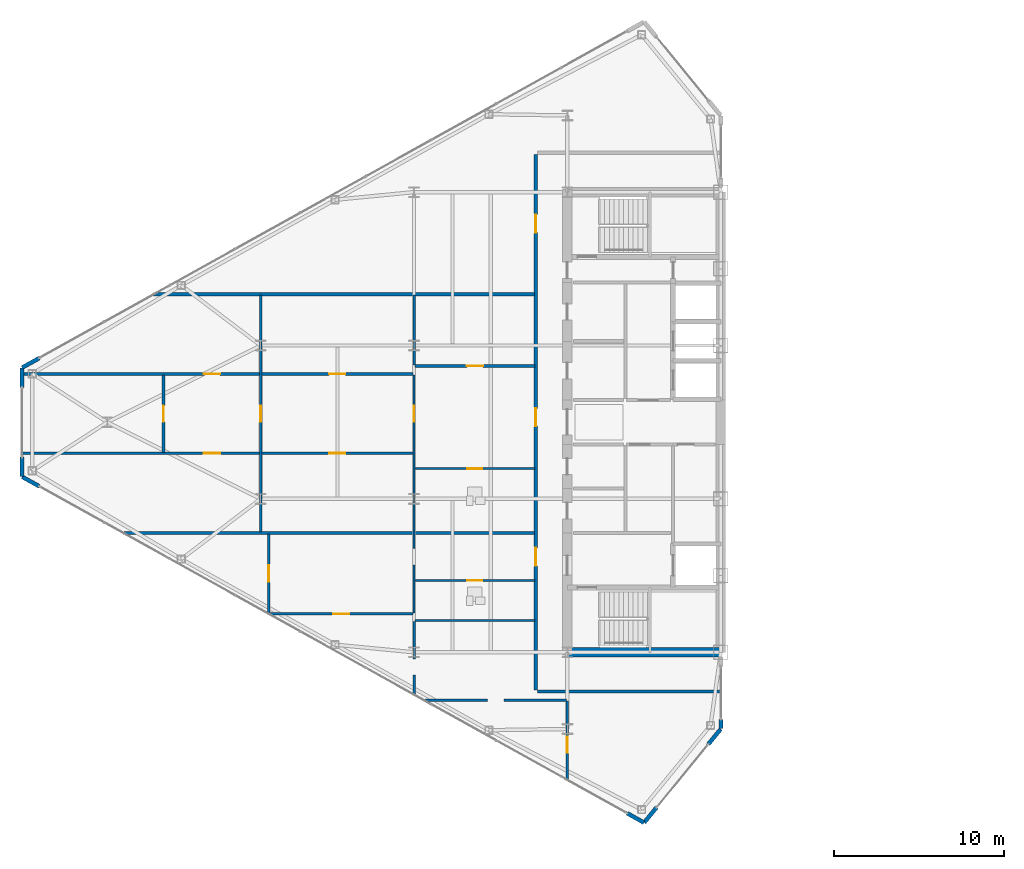
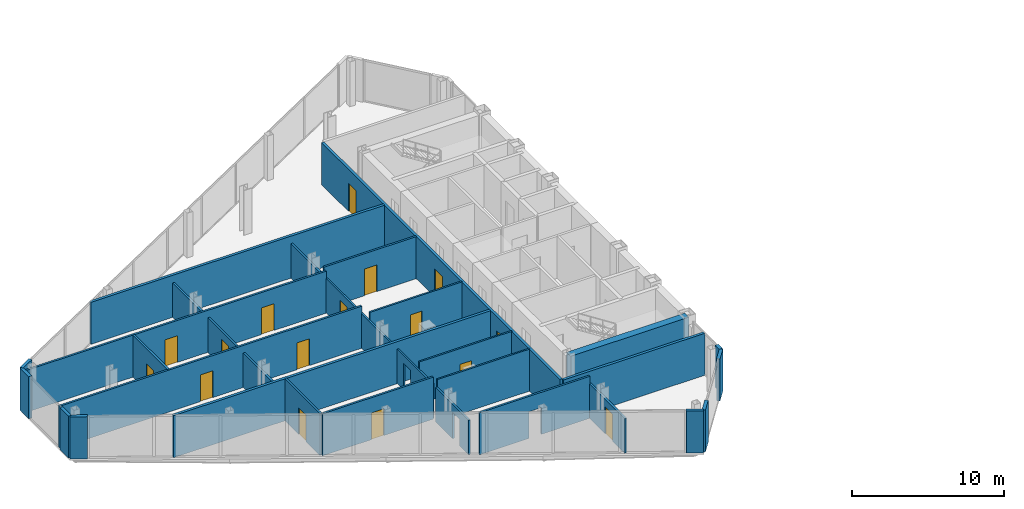
# One storey, part 19 of 26: 28 walls, 16 doors, 19 openings.
"""IFC4 building model written with IfcOpenShell, lengths in metres."""

from ifc_helpers import new_model, si_unit, direction, frame, frame_2d, origin, place, context, subcontext, project, spatial, rectangle, extrude, source, transform, mapped, material, layer, layer_set, type_object, type_shapes, element, fill, save


model = new_model("IFC4")

# Units and contexts
model_context = context("Model", 3, precision=1e-05, world=origin(), true_north=direction((0.0, 1.0)))
body_context = subcontext(model_context, "Body", "Model", "MODEL_VIEW")
ifc_project = project(units=[si_unit("LENGTHUNIT", "METRE"), si_unit("AREAUNIT", "SQUARE_METRE"), si_unit("VOLUMEUNIT", "CUBIC_METRE"), si_unit("PLANEANGLEUNIT", "RADIAN"), si_unit("MASSUNIT", "GRAM", prefix="KILO")], contexts=[model_context])

# Site, building, storey
site_placement = place(None, origin())
site = spatial("IfcSite", under=ifc_project, at=site_placement, CompositionType="ELEMENT")
building_placement = place(site_placement, origin())
building = spatial("IfcBuilding", under=site, at=building_placement, Name="Seokmaru Belvedere", CompositionType="ELEMENT")
storey_placement = place(building_placement, frame((0.0, 0.0, 177.89990234375)))
storey = spatial("IfcBuildingStorey", under=building, at=storey_placement, Name="L47", CompositionType="ELEMENT", Elevation=177.89990234375)

# Wall, opening
ifc_material_1 = material(Name="Fire-Rated Gypsum Shaftwall")
ifc_layer_1 = layer(ifc_material_1, 0.14990234375)
ifc_layer_set_1 = layer_set([ifc_layer_1], Name="Fire-Rated Gypsum Shaftwall")
wall_type_1 = type_object("IfcWallType", Name="Apartment Fire-Acoustic Room Partition 150", PredefinedType="PARTITIONING", material=ifc_layer_set_1)
wall_1_placement = place(storey_placement, frame((-44.943115234375, -16.320068359375, 0.0), z_axis=(0.0, 0.0, 1.0), x_axis=(1.0, 0.0, 0.0)))
wall_1 = element("IfcWall", 1, at=wall_1_placement, inside=storey, type_object=wall_type_1, Name="L47 Interior Partition 001", PredefinedType="PARTITIONING", context=body_context, shape_type="SweptSolid", body=[
    extrude(rectangle(XDim=8.39306640625, YDim=0.14990234375, at=frame_2d((4.196533203125, 0.0))), origin(), (0.0, 0.0, 1.0), 3.380126953125),
])
opening_1_placement = place(wall_1_placement, frame((3.763916015625, 0.0, 0.0)))
element("IfcOpeningElement", 2, at=opening_1_placement, cuts=wall_1, Name="L47 Cased Opening 007", PredefinedType="OPENING", context=body_context, shape_type="SweptSolid", body=[
    extrude(rectangle(XDim=0.949951171875, YDim=2.14990234375, at=frame_2d((0.47509765625, 1.074951171875))), frame((0.0, 0.0849609375, 0.0), z_axis=(0.0, -1.0, 0.0), x_axis=(1.0, 0.0, 0.0)), (0.0, 0.0, 1.0), 0.169921875),
])

# Wall, opening, door
wall_2_placement = place(storey_placement, frame((-53.98291015625, -11.25, 0.0), z_axis=(0.0, 0.0, 1.0), x_axis=(1.0, 0.0, 0.0)))
wall_2 = element("IfcWall", 3, at=wall_2_placement, inside=storey, type_object=wall_type_1, Name="L47 Interior Partition 005", PredefinedType="PARTITIONING", context=body_context, shape_type="SweptSolid", body=[
    extrude(rectangle(XDim=8.432861328125, YDim=0.14990234375, at=frame_2d((4.21630859375, 0.0))), origin(), (0.0, 0.0, 1.0), 3.380126953125),
])
opening_2_placement = place(wall_2_placement, frame((3.741455078125, 0.0, 0.0)))
opening_2 = element("IfcOpeningElement", 4, at=opening_2_placement, cuts=wall_2, Name="Opening D05", PredefinedType="OPENING", context=body_context, shape_type="SweptSolid", body=[
    extrude(rectangle(XDim=0.949951171875, YDim=2.14990234375, at=frame_2d((0.47509765625, 1.074951171875))), frame((0.0, 0.0849609375, 0.0), z_axis=(0.0, -1.0, 0.0), x_axis=(1.0, 0.0, 0.0)), (0.0, 0.0, 1.0), 0.169921875),
])
ifc_material_2 = material(Name="Engineered White Oak Timber", Category="wood")
door_type_1 = type_object("IfcDoorType", Name="Apartment Interior Fire-Rated Oak Door 950x2150", OperationType="NOTDEFINED", PredefinedType="DOOR", material=ifc_material_2)
shared_shape_1 = source(origin(), body_context, "Body", "SweptSolid", [
    extrude(rectangle(XDim=0.949951171875, YDim=2.14990234375, at=frame_2d((0.47509765625, 1.074951171875))), frame((0.0, 0.02490234375, 0.0), z_axis=(0.0, -1.0, 0.0), x_axis=(1.0, 0.0, 0.0)), (0.0, 0.0, 1.0), 0.050048828125),
])
type_shapes(door_type_1, [shared_shape_1])
door_1_placement = place(opening_2_placement, origin())
door_1 = element("IfcDoor", 5, at=door_1_placement, inside=storey, type_object=door_type_1, Name="L47 Interior Door 004", OperationType="SINGLE_SWING_RIGHT", OverallHeight=2.14990234375, OverallWidth=0.949951171875, PredefinedType="DOOR", context=body_context, shape_type="MappedRepresentation", body=[
    mapped(shared_shape_1, transform((0.0, 0.0, 0.0), scale=1.0)),
])
fill(opening_2, door_1)

# Wall, openings, doors
wall_3_placement = place(storey_placement, frame((-68.534912109375, -1.830078125, 0.0), z_axis=(0.0, 0.0, 1.0), x_axis=(1.0, 0.0, 0.0)))
wall_3 = element("IfcWall", 6, at=wall_3_placement, inside=storey, type_object=wall_type_1, Name="L47 Interior Partition 009", PredefinedType="PARTITIONING", context=body_context, shape_type="SweptSolid", body=[
    extrude(rectangle(XDim=22.98486328125, YDim=0.14990234375, at=frame_2d((11.492431640625, 0.0))), origin(), (0.0, 0.0, 1.0), 3.380126953125),
])
opening_3_placement = place(wall_3_placement, frame((18.06005859375, 0.0, 0.0)))
opening_3 = element("IfcOpeningElement", 7, at=opening_3_placement, cuts=wall_3, Name="Opening D05", PredefinedType="OPENING", context=body_context, shape_type="SweptSolid", body=[
    extrude(rectangle(XDim=0.949951171875, YDim=2.14990234375, at=frame_2d((0.47509765625, 1.074951171875))), frame((0.0, 0.0849609375, 0.0), z_axis=(0.0, -1.0, 0.0), x_axis=(1.0, 0.0, 0.0)), (0.0, 0.0, 1.0), 0.169921875),
])
opening_4_placement = place(wall_3_placement, frame((10.7099609375, 0.0, 0.0)))
opening_4 = element("IfcOpeningElement", 8, at=opening_4_placement, cuts=wall_3, Name="Opening D05", PredefinedType="OPENING", context=body_context, shape_type="SweptSolid", body=[
    extrude(rectangle(XDim=0.949951171875, YDim=2.14990234375, at=frame_2d((0.47509765625, 1.074951171875))), frame((0.0, 0.0849609375, 0.0), z_axis=(0.0, -1.0, 0.0), x_axis=(1.0, 0.0, 0.0)), (0.0, 0.0, 1.0), 0.169921875),
])
door_2_placement = place(opening_3_placement, origin())
door_2 = element("IfcDoor", 9, at=door_2_placement, inside=storey, type_object=door_type_1, Name="L47 Interior Door 014", OperationType="SINGLE_SWING_RIGHT", OverallHeight=2.14990234375, OverallWidth=0.949951171875, PredefinedType="DOOR", context=body_context, shape_type="MappedRepresentation", body=[
    mapped(shared_shape_1, transform((0.0, 0.0, 0.0), scale=1.0)),
])
fill(opening_3, door_2)
door_3_placement = place(opening_4_placement, origin())
door_3 = element("IfcDoor", 10, at=door_3_placement, inside=storey, type_object=door_type_1, Name="L47 Interior Door 016", OperationType="SINGLE_SWING_LEFT", OverallHeight=2.14990234375, OverallWidth=0.949951171875, PredefinedType="DOOR", context=body_context, shape_type="MappedRepresentation", body=[
    mapped(shared_shape_1, transform((0.0, 0.0, 0.0), scale=1.0)),
])
fill(opening_4, door_3)

wall_4_placement = place(storey_placement, frame((-68.375, 2.830078125, 0.0), z_axis=(0.0, 0.0, 1.0), x_axis=(1.0, 0.0, 0.0)))
wall_4 = element("IfcWall", 11, at=wall_4_placement, inside=storey, type_object=wall_type_1, Name="L47 Interior Partition 011", PredefinedType="PARTITIONING", context=body_context, shape_type="SweptSolid", body=[
    extrude(rectangle(XDim=22.824951171875, YDim=0.14990234375, at=frame_2d((11.41259765625, 0.0))), origin(), (0.0, 0.0, 1.0), 3.380126953125),
])
opening_5_placement = place(wall_4_placement, frame((17.89990234375, 0.0, 0.0)))
opening_5 = element("IfcOpeningElement", 12, at=opening_5_placement, cuts=wall_4, Name="Opening D05", PredefinedType="OPENING", context=body_context, shape_type="SweptSolid", body=[
    extrude(rectangle(XDim=0.949951171875, YDim=2.14990234375, at=frame_2d((0.47509765625, 1.074951171875))), frame((0.0, 0.0849609375, 0.0), z_axis=(0.0, -1.0, 0.0), x_axis=(1.0, 0.0, 0.0)), (0.0, 0.0, 1.0), 0.169921875),
])
opening_6_placement = place(wall_4_placement, frame((10.550048828125, 0.0, 0.0)))
opening_6 = element("IfcOpeningElement", 13, at=opening_6_placement, cuts=wall_4, Name="Opening D05", PredefinedType="OPENING", context=body_context, shape_type="SweptSolid", body=[
    extrude(rectangle(XDim=0.949951171875, YDim=2.14990234375, at=frame_2d((0.47509765625, 1.074951171875))), frame((0.0, 0.0849609375, 0.0), z_axis=(0.0, -1.0, 0.0), x_axis=(1.0, 0.0, 0.0)), (0.0, 0.0, 1.0), 0.169921875),
])
door_4_placement = place(opening_5_placement, origin())
door_4 = element("IfcDoor", 14, at=door_4_placement, inside=storey, type_object=door_type_1, Name="L47 Interior Door 015", OperationType="SINGLE_SWING_LEFT", OverallHeight=2.14990234375, OverallWidth=0.949951171875, PredefinedType="DOOR", context=body_context, shape_type="MappedRepresentation", body=[
    mapped(shared_shape_1, transform((0.0, 0.0, 0.0), scale=1.0)),
])
fill(opening_5, door_4)
door_5_placement = place(opening_6_placement, origin())
door_5 = element("IfcDoor", 15, at=door_5_placement, inside=storey, type_object=door_type_1, Name="L47 Interior Door 018", OperationType="SINGLE_SWING_RIGHT", OverallHeight=2.14990234375, OverallWidth=0.949951171875, PredefinedType="DOOR", context=body_context, shape_type="MappedRepresentation", body=[
    mapped(shared_shape_1, transform((0.0, 0.0, 0.0), scale=1.0)),
])
fill(opening_6, door_5)

# Wall, opening, door
wall_5_placement = place(storey_placement, frame((-45.449951171875, 3.300048828125, 0.0), z_axis=(0.0, 0.0, 1.0), x_axis=(1.0, 0.0, 0.0)))
wall_5 = element("IfcWall", 16, at=wall_5_placement, inside=storey, type_object=wall_type_1, Name="L47 Interior Partition 012", PredefinedType="PARTITIONING", context=body_context, shape_type="SweptSolid", body=[
    extrude(rectangle(XDim=7.050048828125, YDim=0.14990234375, at=frame_2d((3.52490234375, 0.0))), origin(), (0.0, 0.0, 1.0), 3.380126953125),
])
opening_7_placement = place(wall_5_placement, frame((3.050048828125, 0.0, 0.0)))
opening_7 = element("IfcOpeningElement", 17, at=opening_7_placement, cuts=wall_5, Name="Opening D05", PredefinedType="OPENING", context=body_context, shape_type="SweptSolid", body=[
    extrude(rectangle(XDim=0.949951171875, YDim=2.14990234375, at=frame_2d((0.47509765625, 1.074951171875))), frame((0.0, 0.0849609375, 0.0), z_axis=(0.0, -1.0, 0.0), x_axis=(1.0, 0.0, 0.0)), (0.0, 0.0, 1.0), 0.169921875),
])
door_6_placement = place(opening_7_placement, origin())
door_6 = element("IfcDoor", 18, at=door_6_placement, inside=storey, type_object=door_type_1, Name="L47 Interior Door 011", OperationType="SINGLE_SWING_LEFT", OverallHeight=2.14990234375, OverallWidth=0.949951171875, PredefinedType="DOOR", context=body_context, shape_type="MappedRepresentation", body=[
    mapped(shared_shape_1, transform((0.0, 0.0, 0.0), scale=1.0)),
])
fill(opening_7, door_6)

wall_6_placement = place(storey_placement, frame((-60.199951171875, -1.782958984375, 0.0), z_axis=(0.0, 0.0, 1.0), x_axis=(0.0, 1.0, 0.0)))
wall_6 = element("IfcWall", 19, at=wall_6_placement, inside=storey, type_object=wall_type_1, Name="L47 Interior Partition 016", PredefinedType="PARTITIONING", context=body_context, shape_type="SweptSolid", body=[
    extrude(rectangle(XDim=4.56591796875, YDim=0.14990234375, at=frame_2d((2.282958984375, 0.0))), origin(), (0.0, 0.0, 1.0), 3.380126953125),
])
opening_8_placement = place(wall_6_placement, frame((1.80810546875, 0.0, 0.0)))
opening_8 = element("IfcOpeningElement", 20, at=opening_8_placement, cuts=wall_6, Name="Opening D05", PredefinedType="OPENING", context=body_context, shape_type="SweptSolid", body=[
    extrude(rectangle(XDim=0.949951171875, YDim=2.14990234375, at=frame_2d((0.47509765625, 1.074951171875))), frame((0.0, 0.0849609375, 0.0), z_axis=(0.0, -1.0, 0.0), x_axis=(1.0, 0.0, 0.0)), (0.0, 0.0, 1.0), 0.169921875),
])
door_7_placement = place(opening_8_placement, origin())
door_7 = element("IfcDoor", 21, at=door_7_placement, inside=storey, type_object=door_type_1, Name="L47 Interior Door 017", OperationType="SINGLE_SWING_RIGHT", OverallHeight=2.14990234375, OverallWidth=0.949951171875, PredefinedType="DOOR", context=body_context, shape_type="MappedRepresentation", body=[
    mapped(shared_shape_1, transform((0.0, 0.0, 0.0), scale=1.0)),
])
fill(opening_8, door_7)

wall_7_placement = place(storey_placement, frame((-54.5, -6.449951171875, 0.0), z_axis=(0.0, 0.0, 1.0), x_axis=(0.0, 1.0, 0.0)))
wall_7 = element("IfcWall", 22, at=wall_7_placement, inside=storey, type_object=wall_type_1, Name="L47 Interior Partition 017", PredefinedType="PARTITIONING", context=body_context, shape_type="SweptSolid", body=[
    extrude(rectangle(XDim=13.89990234375, YDim=0.14990234375, at=frame_2d((6.949951171875, 0.0))), origin(), (0.0, 0.0, 1.0), 2.780029296875),
])
opening_9_placement = place(wall_7_placement, frame((6.47509765625, 0.0, 0.0)))
opening_9 = element("IfcOpeningElement", 23, at=opening_9_placement, cuts=wall_7, Name="Opening D05", PredefinedType="OPENING", context=body_context, shape_type="SweptSolid", body=[
    extrude(rectangle(XDim=0.949951171875, YDim=2.14990234375, at=frame_2d((0.47509765625, 1.074951171875))), frame((0.0, 0.0849609375, 0.0), z_axis=(0.0, -1.0, 0.0), x_axis=(1.0, 0.0, 0.0)), (0.0, 0.0, 1.0), 0.169921875),
])
door_8_placement = place(opening_9_placement, origin())
door_8 = element("IfcDoor", 24, at=door_8_placement, inside=storey, type_object=door_type_1, Name="L47 Interior Door 013", OperationType="SINGLE_SWING_RIGHT", OverallHeight=2.14990234375, OverallWidth=0.949951171875, PredefinedType="DOOR", context=body_context, shape_type="MappedRepresentation", body=[
    mapped(shared_shape_1, transform((0.0, 0.0, 0.0), scale=1.0)),
])
fill(opening_9, door_8)

wall_8_placement = place(storey_placement, frame((-54.030029296875, -11.196044921875, 0.0), z_axis=(0.0, 0.0, 1.0), x_axis=(0.0, 1.0, 0.0)))
wall_8 = element("IfcWall", 25, at=wall_8_placement, inside=storey, type_object=wall_type_1, Name="L47 Interior Partition 018", PredefinedType="PARTITIONING", context=body_context, shape_type="SweptSolid", body=[
    extrude(rectangle(XDim=4.64599609375, YDim=0.14990234375, at=frame_2d((2.322998046875, 0.0))), origin(), (0.0, 0.0, 1.0), 3.380126953125),
])
opening_10_placement = place(wall_8_placement, frame((1.84814453125, 0.0, 0.0)))
opening_10 = element("IfcOpeningElement", 26, at=opening_10_placement, cuts=wall_8, Name="Opening D05", PredefinedType="OPENING", context=body_context, shape_type="SweptSolid", body=[
    extrude(rectangle(XDim=0.949951171875, YDim=2.14990234375, at=frame_2d((0.47509765625, 1.074951171875))), frame((0.0, 0.0849609375, 0.0), z_axis=(0.0, -1.0, 0.0), x_axis=(1.0, 0.0, 0.0)), (0.0, 0.0, 1.0), 0.169921875),
])
door_9_placement = place(opening_10_placement, origin())
door_9 = element("IfcDoor", 27, at=door_9_placement, inside=storey, type_object=door_type_1, Name="L47 Interior Door 005", OperationType="SINGLE_SWING_LEFT", OverallHeight=2.14990234375, OverallWidth=0.949951171875, PredefinedType="DOOR", context=body_context, shape_type="MappedRepresentation", body=[
    mapped(shared_shape_1, transform((0.0, 0.0, 0.0), scale=1.0)),
])
fill(opening_10, door_9)

# Wall, opening
wall_9_placement = place(storey_placement, frame((-45.5, -16.027099609375, 0.0), z_axis=(0.0, 0.0, 1.0), x_axis=(0.0, 1.0, 0.0)))
wall_9 = element("IfcWall", 28, at=wall_9_placement, inside=storey, type_object=wall_type_1, Name="L47 Interior Partition 019", PredefinedType="PARTITIONING", context=body_context, shape_type="SweptSolid", body=[
    extrude(rectangle(XDim=4.33203125, YDim=0.14990234375, at=frame_2d((2.166015625, 0.0))), origin(), (0.0, 0.0, 1.0), 2.780029296875),
])
opening_11_placement = place(wall_9_placement, frame((1.1806640625, 0.0, 0.0)))
element("IfcOpeningElement", 29, at=opening_11_placement, cuts=wall_9, Name="L47 Cased Opening 006", PredefinedType="OPENING", context=body_context, shape_type="SweptSolid", body=[
    extrude(rectangle(XDim=0.949951171875, YDim=2.14990234375, at=frame_2d((0.47509765625, 1.074951171875))), frame((0.0, 0.0849609375, 0.0), z_axis=(0.0, -1.0, 0.0), x_axis=(1.0, 0.0, 0.0)), (0.0, 0.0, 1.0), 0.169921875),
])

# Wall
wall_10_placement = place(storey_placement, frame((-45.5, 3.35205078125, 0.0), z_axis=(0.0, 0.0, 1.0), x_axis=(0.0, 1.0, 0.0)))
element("IfcWall", 30, at=wall_10_placement, inside=storey, type_object=wall_type_1, Name="L47 Interior Partition 021", PredefinedType="PARTITIONING", context=body_context, shape_type="SweptSolid", body=[
    extrude(rectangle(XDim=4.097900390625, YDim=0.14990234375, at=frame_2d((2.048828125, 0.0))), origin(), (0.0, 0.0, 1.0), 2.780029296875),
])

# Wall, opening, door
wall_11_placement = place(storey_placement, frame((-36.5, -21.031982421875, 0.0), z_axis=(0.0, 0.0, 1.0), x_axis=(0.0, 1.0, 0.0)))
wall_11 = element("IfcWall", 31, at=wall_11_placement, inside=storey, type_object=wall_type_1, Name="L47 Interior Partition 023", PredefinedType="PARTITIONING", context=body_context, shape_type="SweptSolid", body=[
    extrude(rectangle(XDim=4.660888671875, YDim=0.14990234375, at=frame_2d((2.33056640625, 0.0))), origin(), (0.0, 0.0, 1.0), 2.780029296875),
])
opening_12_placement = place(wall_11_placement, frame((1.63427734375, 0.0, 0.0)))
opening_12 = element("IfcOpeningElement", 32, at=opening_12_placement, cuts=wall_11, Name="Opening D05", PredefinedType="OPENING", context=body_context, shape_type="SweptSolid", body=[
    extrude(rectangle(XDim=0.949951171875, YDim=2.14990234375, at=frame_2d((0.47509765625, 1.074951171875))), frame((0.0, 0.0849609375, 0.0), z_axis=(0.0, -1.0, 0.0), x_axis=(1.0, 0.0, 0.0)), (0.0, 0.0, 1.0), 0.169921875),
])
door_10_placement = place(opening_12_placement, origin())
door_10 = element("IfcDoor", 33, at=door_10_placement, inside=storey, type_object=door_type_1, Name="L47 Interior Door 008", OperationType="SINGLE_SWING_RIGHT", OverallHeight=2.14990234375, OverallWidth=0.949951171875, PredefinedType="DOOR", context=body_context, shape_type="MappedRepresentation", body=[
    mapped(shared_shape_1, transform((0.0, 0.0, 0.0), scale=1.0)),
])
fill(opening_12, door_10)

# Walls
ifc_layer_2 = layer(ifc_material_1, 0.199951171875)
ifc_layer_set_2 = layer_set([ifc_layer_2], Name="Fire-Rated Gypsum Shaftwall")
wall_type_2 = type_object("IfcWallType", Name="Inter-Tenancy Fire Compartment Partition 200", PredefinedType="PARTITIONING", material=ifc_layer_set_2)
wall_12_placement = place(storey_placement, frame((-38.264892578125, -15.800048828125, 0.0), z_axis=(0.0, 0.0, 1.0), x_axis=(1.0, 0.0, 0.0)))
element("IfcWall", 34, at=wall_12_placement, inside=storey, type_object=wall_type_2, Name="L47 Interior Partition 002", PredefinedType="PARTITIONING", context=body_context, shape_type="SweptSolid", body=[
    extrude(rectangle(XDim=10.764892578125, YDim=0.199951171875, at=frame_2d((5.38232421875, 0.0))), origin(), (0.0, 0.0, 1.0), 3.380126953125),
])
wall_13_placement = place(storey_placement, frame((-62.576904296875, -6.5, 0.0), z_axis=(0.0, 0.0, 1.0), x_axis=(1.0, 0.0, 0.0)))
element("IfcWall", 35, at=wall_13_placement, inside=storey, type_object=wall_type_2, Name="L47 Interior Partition 007", PredefinedType="PARTITIONING", context=body_context, shape_type="SweptSolid", body=[
    extrude(rectangle(XDim=24.14697265625, YDim=0.199951171875, at=frame_2d((12.073486328125, 0.0))), origin(), (0.0, 0.0, 1.0), 3.380126953125),
])
wall_14_placement = place(storey_placement, frame((-60.779052734375, 7.5, 0.0), z_axis=(0.0, 0.0, 1.0), x_axis=(1.0, 0.0, 0.0)))
element("IfcWall", 36, at=wall_14_placement, inside=storey, type_object=wall_type_2, Name="L47 Interior Partition 013", PredefinedType="PARTITIONING", context=body_context, shape_type="SweptSolid", body=[
    extrude(rectangle(XDim=22.34912109375, YDim=0.199951171875, at=frame_2d((11.174560546875, 0.0))), origin(), (0.0, 0.0, 1.0), 3.380126953125),
])

# Wall, openings, doors
wall_15_placement = place(storey_placement, frame((-38.35009765625, -15.715087890625, 0.0), z_axis=(0.0, 0.0, 1.0), x_axis=(0.0, 1.0, 0.0)))
wall_15 = element("IfcWall", 37, at=wall_15_placement, inside=storey, type_object=wall_type_2, Name="L47 Interior Partition 022", PredefinedType="PARTITIONING", context=body_context, shape_type="SweptSolid", body=[
    extrude(rectangle(XDim=31.43017578125, YDim=0.199951171875, at=frame_2d((15.715087890625, 0.0))), origin(), (0.0, 0.0, 1.0), 3.380126953125),
])
opening_13_placement = place(wall_15_placement, frame((7.29248046875, 0.0, 0.0)))
opening_13 = element("IfcOpeningElement", 38, at=opening_13_placement, cuts=wall_15, Name="Opening D03", PredefinedType="OPENING", context=body_context, shape_type="SweptSolid", body=[
    extrude(rectangle(XDim=1.050048828125, YDim=2.25, at=frame_2d((0.52490234375, 1.125))), frame((0.0, 0.10986328125, 0.0), z_axis=(0.0, -1.0, 0.0), x_axis=(1.0, 0.0, 0.0)), (0.0, 0.0, 1.0), 0.219970703125),
])
opening_14_placement = place(wall_15_placement, frame((15.47998046875, 0.0, 0.0)))
opening_14 = element("IfcOpeningElement", 39, at=opening_14_placement, cuts=wall_15, Name="Opening D03", PredefinedType="OPENING", context=body_context, shape_type="SweptSolid", body=[
    extrude(rectangle(XDim=1.050048828125, YDim=2.25, at=frame_2d((0.52490234375, 1.125))), frame((0.0, 0.10986328125, 0.0), z_axis=(0.0, -1.0, 0.0), x_axis=(1.0, 0.0, 0.0)), (0.0, 0.0, 1.0), 0.219970703125),
])
opening_15_placement = place(wall_15_placement, frame((26.840087890625, 0.0, 0.0)))
opening_15 = element("IfcOpeningElement", 40, at=opening_15_placement, cuts=wall_15, Name="Opening D03", PredefinedType="OPENING", context=body_context, shape_type="SweptSolid", body=[
    extrude(rectangle(XDim=1.050048828125, YDim=2.25, at=frame_2d((0.52490234375, 1.125))), frame((0.0, 0.10986328125, 0.0), z_axis=(0.0, -1.0, 0.0), x_axis=(1.0, 0.0, 0.0)), (0.0, 0.0, 1.0), 0.219970703125),
])
ifc_material_3 = material(Name="Fire-Rated Steel Leaf", Category="steel")
door_type_2 = type_object("IfcDoorType", Name="Apartment Entrance Fire Door 1050x2250", OperationType="NOTDEFINED", PredefinedType="DOOR", material=ifc_material_3)
shared_shape_2 = source(origin(), body_context, "Body", "SweptSolid", [
    extrude(rectangle(XDim=1.050048828125, YDim=2.25, at=frame_2d((0.52490234375, 1.125))), frame((0.0, 0.02490234375, 0.0), z_axis=(0.0, -1.0, 0.0), x_axis=(1.0, 0.0, 0.0)), (0.0, 0.0, 1.0), 0.050048828125),
])
type_shapes(door_type_2, [shared_shape_2])
door_11_placement = place(opening_13_placement, origin())
door_11 = element("IfcDoor", 41, at=door_11_placement, inside=storey, type_object=door_type_2, Name="L47 Interior Door 001", OperationType="SINGLE_SWING_RIGHT", OverallHeight=2.25, OverallWidth=1.050048828125, PredefinedType="DOOR", context=body_context, shape_type="MappedRepresentation", body=[
    mapped(shared_shape_2, transform((0.0, 0.0, 0.0), scale=1.0)),
])
fill(opening_13, door_11)
door_12_placement = place(opening_14_placement, origin())
door_12 = element("IfcDoor", 42, at=door_12_placement, inside=storey, type_object=door_type_2, Name="L47 Interior Door 009", OperationType="SINGLE_SWING_LEFT", OverallHeight=2.25, OverallWidth=1.050048828125, PredefinedType="DOOR", context=body_context, shape_type="MappedRepresentation", body=[
    mapped(shared_shape_2, transform((0.0, 0.0, 0.0), scale=1.0)),
])
fill(opening_14, door_12)
door_13_placement = place(opening_15_placement, origin())
door_13 = element("IfcDoor", 43, at=door_13_placement, inside=storey, type_object=door_type_2, Name="L47 Interior Door 019", OperationType="SINGLE_SWING_RIGHT", OverallHeight=2.25, OverallWidth=1.050048828125, PredefinedType="DOOR", context=body_context, shape_type="MappedRepresentation", body=[
    mapped(shared_shape_2, transform((0.0, 0.0, 0.0), scale=1.0)),
])
fill(opening_15, door_13)

# Walls
ifc_material_4 = material(Name="Concrete C50 (50 MPa)", Category="concrete")
ifc_layer_3 = layer(ifc_material_4, 0.550048828125)
ifc_layer_set_3 = layer_set([ifc_layer_3], Name="Concrete C50 (50 MPa)")
wall_type_3 = type_object("IfcWallType", Name="Mid-High Reinforced Concrete Core Wall 550", PredefinedType="SHEAR", material=ifc_layer_set_3)
wall_16_placement = place(storey_placement, frame((-36.5, -13.5, 0.0), z_axis=(0.0, 0.0, 1.0), x_axis=(1.0, 0.0, 0.0)))
element("IfcWall", 44, at=wall_16_placement, inside=storey, type_object=wall_type_3, Name="L47 West South Core Wall", PredefinedType="SHEAR", context=body_context, shape_type="SweptSolid", body=[
    extrude(rectangle(XDim=9.0, YDim=0.550048828125, at=frame_2d((4.5, 0.0))), origin(), (0.0, 0.0, 1.0), 3.380126953125),
])
ifc_layer_4 = layer(ifc_material_1, 0.1298828125)
ifc_layer_set_4 = layer_set([ifc_layer_4], Name="Fire-Rated Gypsum Shaftwall")
wall_type_4 = type_object("IfcWallType", Name="Moisture-Resistant Fire-Rated Bathroom Partition 130", PredefinedType="PARTITIONING", material=ifc_layer_set_4)
wall_17_placement = place(storey_placement, frame((-45.449951171875, -11.639892578125, 0.0), z_axis=(0.0, 0.0, 1.0), x_axis=(1.0, 0.0, 0.0)))
element("IfcWall", 45, at=wall_17_placement, inside=storey, type_object=wall_type_4, Name="L47 Interior Partition 004", PredefinedType="PARTITIONING", context=body_context, shape_type="SweptSolid", body=[
    extrude(rectangle(XDim=7.050048828125, YDim=0.1298828125, at=frame_2d((3.52490234375, 0.0))), origin(), (0.0, 0.0, 1.0), 3.380126953125),
])

# Wall, opening, door
wall_18_placement = place(storey_placement, frame((-45.449951171875, -9.2900390625, 0.0), z_axis=(0.0, 0.0, 1.0), x_axis=(1.0, 0.0, 0.0)))
wall_18 = element("IfcWall", 46, at=wall_18_placement, inside=storey, type_object=wall_type_4, Name="L47 Interior Partition 006", PredefinedType="PARTITIONING", context=body_context, shape_type="SweptSolid", body=[
    extrude(rectangle(XDim=7.050048828125, YDim=0.1298828125, at=frame_2d((3.52490234375, 0.0))), origin(), (0.0, 0.0, 1.0), 3.380126953125),
])
opening_16_placement = place(wall_18_placement, frame((3.0849609375, 0.0, 0.0)))
opening_16 = element("IfcOpeningElement", 47, at=opening_16_placement, cuts=wall_18, Name="Opening D06", PredefinedType="OPENING", context=body_context, shape_type="SweptSolid", body=[
    extrude(rectangle(XDim=0.8798828125, YDim=2.10009765625, at=frame_2d((0.43994140625, 1.050048828125))), frame((0.0, 0.074951171875, 0.0), z_axis=(0.0, -1.0, 0.0), x_axis=(1.0, 0.0, 0.0)), (0.0, 0.0, 1.0), 0.14990234375),
])
door_type_3 = type_object("IfcDoorType", Name="Bathroom and Restroom Fire-Rated Door 880x2100", OperationType="NOTDEFINED", PredefinedType="DOOR", material=ifc_material_2)
shared_shape_3 = source(origin(), body_context, "Body", "SweptSolid", [
    extrude(rectangle(XDim=0.8798828125, YDim=2.10009765625, at=frame_2d((0.43994140625, 1.050048828125))), frame((0.0, 0.02490234375, 0.0), z_axis=(0.0, -1.0, 0.0), x_axis=(1.0, 0.0, 0.0)), (0.0, 0.0, 1.0), 0.050048828125),
])
type_shapes(door_type_3, [shared_shape_3])
door_14_placement = place(opening_16_placement, origin())
door_14 = element("IfcDoor", 48, at=door_14_placement, inside=storey, type_object=door_type_3, Name="L47 Interior Door 002", OperationType="SINGLE_SWING_LEFT", OverallHeight=2.10009765625, OverallWidth=0.8798828125, PredefinedType="DOOR", context=body_context, shape_type="MappedRepresentation", body=[
    mapped(shared_shape_3, transform((0.0, 0.0, 0.0), scale=1.0)),
])
fill(opening_16, door_14)

wall_19_placement = place(storey_placement, frame((-45.449951171875, -2.719970703125, 0.0), z_axis=(0.0, 0.0, 1.0), x_axis=(1.0, 0.0, 0.0)))
wall_19 = element("IfcWall", 49, at=wall_19_placement, inside=storey, type_object=wall_type_4, Name="L47 Interior Partition 008", PredefinedType="PARTITIONING", context=body_context, shape_type="SweptSolid", body=[
    extrude(rectangle(XDim=7.050048828125, YDim=0.1298828125, at=frame_2d((3.52490234375, 0.0))), origin(), (0.0, 0.0, 1.0), 3.380126953125),
])
opening_17_placement = place(wall_19_placement, frame((3.0849609375, 0.0, 0.0)))
opening_17 = element("IfcOpeningElement", 50, at=opening_17_placement, cuts=wall_19, Name="Opening D06", PredefinedType="OPENING", context=body_context, shape_type="SweptSolid", body=[
    extrude(rectangle(XDim=0.8798828125, YDim=2.10009765625, at=frame_2d((0.43994140625, 1.050048828125))), frame((0.0, 0.074951171875, 0.0), z_axis=(0.0, -1.0, 0.0), x_axis=(1.0, 0.0, 0.0)), (0.0, 0.0, 1.0), 0.14990234375),
])
door_15_placement = place(opening_17_placement, origin())
door_15 = element("IfcDoor", 51, at=door_15_placement, inside=storey, type_object=door_type_3, Name="L47 Interior Door 010", OperationType="SINGLE_SWING_LEFT", OverallHeight=2.10009765625, OverallWidth=0.8798828125, PredefinedType="DOOR", context=body_context, shape_type="MappedRepresentation", body=[
    mapped(shared_shape_3, transform((0.0, 0.0, 0.0), scale=1.0)),
])
fill(opening_17, door_15)

# Wall, openings, door
wall_20_placement = place(storey_placement, frame((-45.5, -11.196044921875, 0.0), z_axis=(0.0, 0.0, 1.0), x_axis=(0.0, 1.0, 0.0)))
wall_20 = element("IfcWall", 52, at=wall_20_placement, inside=storey, type_object=wall_type_4, Name="L47 Interior Partition 020", PredefinedType="PARTITIONING", context=body_context, shape_type="SweptSolid", body=[
    extrude(rectangle(XDim=13.97900390625, YDim=0.1298828125, at=frame_2d((6.989501953125, 0.0))), origin(), (0.0, 0.0, 1.0), 2.780029296875),
])
opening_18_placement = place(wall_20_placement, frame((2.823486328125, 0.0, 0.0)))
element("IfcOpeningElement", 53, at=opening_18_placement, cuts=wall_20, Name="L47 Cased Opening 003", PredefinedType="OPENING", context=body_context, shape_type="SweptSolid", body=[
    extrude(rectangle(XDim=0.949951171875, YDim=2.14990234375, at=frame_2d((0.47509765625, 1.074951171875))), frame((0.0, 0.074951171875, 0.0), z_axis=(0.0, -1.0, 0.0), x_axis=(1.0, 0.0, 0.0)), (0.0, 0.0, 1.0), 0.14990234375),
])
opening_19_placement = place(wall_20_placement, frame((11.220947265625, 0.0, 0.0)))
opening_19 = element("IfcOpeningElement", 54, at=opening_19_placement, cuts=wall_20, Name="Opening D05", PredefinedType="OPENING", context=body_context, shape_type="SweptSolid", body=[
    extrude(rectangle(XDim=0.949951171875, YDim=2.14990234375, at=frame_2d((0.47509765625, 1.074951171875))), frame((0.0, 0.074951171875, 0.0), z_axis=(0.0, -1.0, 0.0), x_axis=(1.0, 0.0, 0.0)), (0.0, 0.0, 1.0), 0.14990234375),
])
door_16_placement = place(opening_19_placement, origin())
door_16 = element("IfcDoor", 55, at=door_16_placement, inside=storey, type_object=door_type_1, Name="L47 Interior Door 012", OperationType="SINGLE_SWING_RIGHT", OverallHeight=2.14990234375, OverallWidth=0.949951171875, PredefinedType="DOOR", context=body_context, shape_type="MappedRepresentation", body=[
    mapped(shared_shape_1, transform((0.0, 0.0, 0.0), scale=1.0)),
])
fill(opening_19, door_16)

# Walls
ifc_material_5 = material(Name="Anodised Bronze Aluminium", Category="aluminium")
ifc_layer_5 = layer(ifc_material_5, 0.239990234375)
ifc_layer_set_5 = layer_set([ifc_layer_5], Name="Anodised Bronze Aluminium")
wall_type_5 = type_object("IfcWallType", Name="Tower Corner Spandrel Closure Wall 240", PredefinedType="SOLIDWALL", material=ifc_layer_set_5)
wall_21_placement = place(storey_placement, frame((-27.5, -17.97998046875, 0.0), z_axis=(0.0, 0.0, 1.0), x_axis=(0.0, 1.0, 0.0)))
element("IfcWall", 56, at=wall_21_placement, inside=storey, type_object=wall_type_5, Name="L47 W Spine Closure Pier 1A", PredefinedType="SOLIDWALL", context=body_context, shape_type="SweptSolid", body=[
    extrude(rectangle(XDim=0.550048828125, YDim=0.239990234375, at=frame_2d((0.27490234375, 0.0))), origin(), (0.0, 0.0, 1.0), 3.380126953125),
])
for number, where, z_axis, x_axis, name in (
    (57, (-67.4951171875, 3.759033203125, 0.0), (0.0, 0.0, 1.0), (-0.87385402111, -0.486188389196, 0.0), "L47 W Corner Closure Pier 3B"),
    (58, (-68.5, 3.18994140625, 0.0), (0.0, 0.0, 1.0), (0.0, -1.0, 0.0), "L47 W Corner Closure Pier 4A"),
    (59, (-68.5, -2.050048828125, 0.0), (0.0, 0.0, 1.0), (0.0, -1.0, 0.0), "L47 W Corner Closure Pier 4B"),
    (60, (-68.4912109375, -3.204833984375, 0.0), (0.0, 0.0, 1.0), (0.87385402111, -0.486188389196, 0.0), "L47 W Corner Closure Pier 5A"),
    (61, (-33.0048828125, -22.94091796875, 0.0), (0.0, 0.0, 1.0), (0.87385402111, -0.486188389196, 0.0), "L47 W Corner Closure Pier 5B"),
):
    element("IfcWall", number, at=place(storey_placement, frame(where, z_axis=z_axis, x_axis=x_axis)), inside=storey, type_object=wall_type_5, Name=name, PredefinedType="SOLIDWALL", context=body_context, shape_type="SweptSolid", body=[
        extrude(rectangle(XDim=1.139892578125, YDim=0.239990234375, at=frame_2d((0.56982421875, 0.0))), origin(), (0.0, 0.0, 1.0), 3.380126953125),
    ])
for number, where, z_axis, x_axis, name in (
    (62, (-31.99365234375, -23.4921875, 0.0), (0.0, 0.0, 1.0), (0.633249451965, 0.77394775766, 0.0), "L47 W Corner Closure Pier 6A"),
    (63, (-28.228271484375, -18.89013671875, 0.0), (0.0, 0.0, 1.0), (0.633249451965, 0.77394775766, 0.0), "L47 W Corner Closure Pier 6B"),
):
    element("IfcWall", number, at=place(storey_placement, frame(where, z_axis=z_axis, x_axis=x_axis)), inside=storey, type_object=wall_type_5, Name=name, PredefinedType="SOLIDWALL", context=body_context, shape_type="SweptSolid", body=[
        extrude(rectangle(XDim=1.14013671875, YDim=0.239990234375, at=frame_2d((0.570068359375, 0.0))), origin(), (0.0, 0.0, 1.0), 3.380126953125),
    ])

save(model, "model.ifc")
